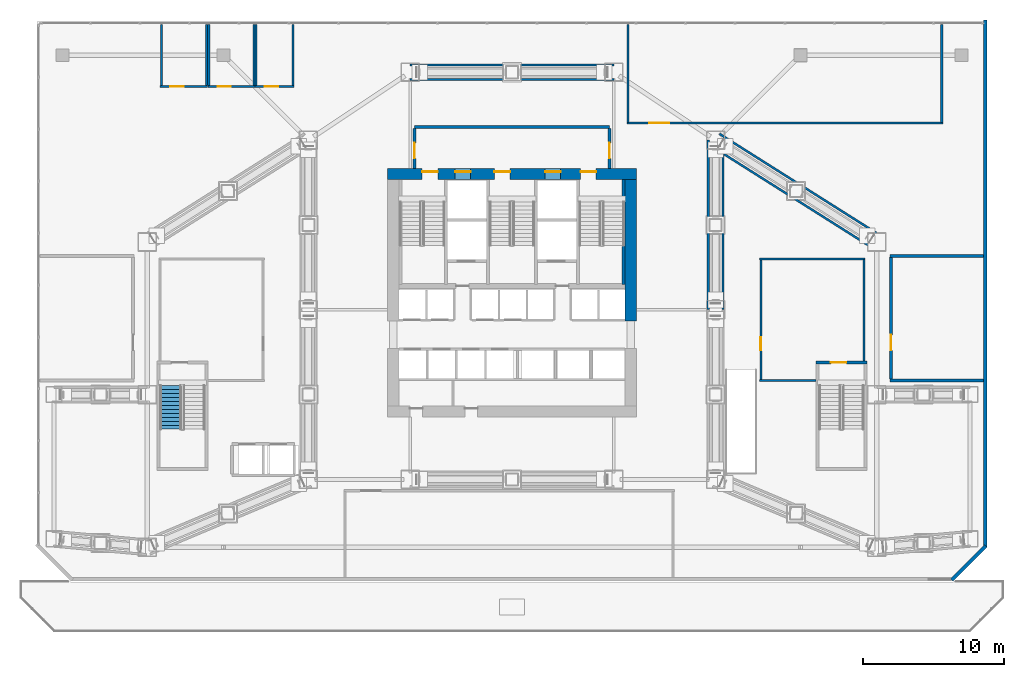
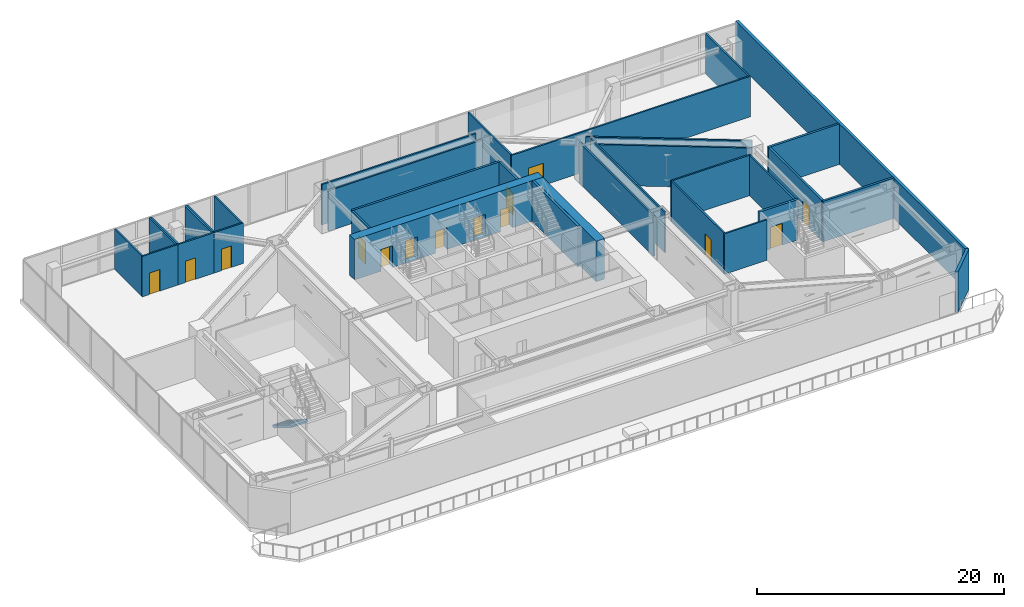
# One storey, part 34 of 39: 34 walls, 14 doors, 1 stair flight, 14 openings, 1 element without a shape of its own.
"""IFC4 building model written with IfcOpenShell, lengths in metres."""

from ifc_helpers import new_model, si_unit, direction, frame, frame_2d, origin, place, context, subcontext, project, spatial, polyline, rectangle, outline, extrude, material, layer, layer_set, type_object, element, fill, aggregate, save


model = new_model("IFC4")

# Units and contexts
model_context = context("Model", 3, precision=1e-05, world=origin(), true_north=direction((0.0, 1.0)))
body_context = subcontext(model_context, "Body", "Model", "MODEL_VIEW")
ifc_project = project(units=[si_unit("LENGTHUNIT", "METRE"), si_unit("AREAUNIT", "SQUARE_METRE"), si_unit("VOLUMEUNIT", "CUBIC_METRE"), si_unit("PLANEANGLEUNIT", "RADIAN"), si_unit("MASSUNIT", "GRAM", prefix="KILO")], contexts=[model_context])

# Site, building, storey
site_placement = place(None, origin())
site = spatial("IfcSite", under=ifc_project, at=site_placement, CompositionType="ELEMENT")
building_placement = place(site_placement, origin())
building = spatial("IfcBuilding", under=site, at=building_placement, Name="Haolan Belvedere Tower", CompositionType="ELEMENT")
storey_placement = place(building_placement, frame((0.0, 0.0, 19.800048828125)))
storey = spatial("IfcBuildingStorey", under=building, at=storey_placement, Name="L04", CompositionType="ELEMENT", Elevation=19.800048828125)

# Wall, openings, doors
ifc_material_1 = material(Name="Concrete C70/85", Category="concrete")
ifc_layer_1 = layer(ifc_material_1, 0.800048828125, Name="Concrete C70/85")
ifc_layer_set_1 = layer_set([ifc_layer_1], Name="Concrete C70/85")
wall_type_1 = type_object("IfcWallType", Name="WL-CORE-800", PredefinedType="SHEAR", material=ifc_layer_set_1)
wall_1_placement = place(storey_placement, frame((29.60009765625, 43.199951171875, 0.0), z_axis=(0.0, 0.0, 1.0), x_axis=(1.0, 0.0, 0.0)))
wall_1 = element("IfcWall", 1, at=wall_1_placement, inside=storey, type_object=wall_type_1, Name="L04 central core north shear wall", PredefinedType="SHEAR", context=body_context, shape_type="SweptSolid", body=[
    extrude(rectangle(XDim=17.599853515625, YDim=0.800048828125, at=frame_2d((8.7998046875, 0.0))), origin(), (0.0, 0.0, 1.0), 4.0),
])
opening_1_placement = place(wall_1_placement, frame((2.449951171875, 0.0, 0.0)))
opening_1 = element("IfcOpeningElement", 2, at=opening_1_placement, cuts=wall_1, Name="Opening FD-03", PredefinedType="OPENING", context=body_context, shape_type="SweptSolid", body=[
    extrude(rectangle(XDim=1.10009765625, YDim=2.14990234375, at=frame_2d((0.550048828125, 1.074951171875))), frame((0.0, 0.409912109375, 0.0), z_axis=(0.0, -1.0, 0.0), x_axis=(1.0, 0.0, 0.0)), (0.0, 0.0, 1.0), 0.820068359375),
])
opening_2_placement = place(wall_1_placement, frame((7.56005859375, 0.0, 0.0)))
opening_2 = element("IfcOpeningElement", 3, at=opening_2_placement, cuts=wall_1, Name="Opening FD-03", PredefinedType="OPENING", context=body_context, shape_type="SweptSolid", body=[
    extrude(rectangle(XDim=1.10009765625, YDim=2.14990234375, at=frame_2d((0.550048828125, 1.074951171875))), frame((0.0, 0.409912109375, 0.0), z_axis=(0.0, -1.0, 0.0), x_axis=(1.0, 0.0, 0.0)), (0.0, 0.0, 1.0), 0.820068359375),
])
opening_3_placement = place(wall_1_placement, frame((13.64990234375, 0.0, 0.0)))
opening_3 = element("IfcOpeningElement", 4, at=opening_3_placement, cuts=wall_1, Name="Opening FD-03", PredefinedType="OPENING", context=body_context, shape_type="SweptSolid", body=[
    extrude(rectangle(XDim=1.10009765625, YDim=2.14990234375, at=frame_2d((0.550048828125, 1.074951171875))), frame((0.0, 0.409912109375, 0.0), z_axis=(0.0, -1.0, 0.0), x_axis=(1.0, 0.0, 0.0)), (0.0, 0.0, 1.0), 0.820068359375),
])
opening_4_placement = place(wall_1_placement, frame((4.780029296875, 0.0, 0.0)))
opening_4 = element("IfcOpeningElement", 5, at=opening_4_placement, cuts=wall_1, Name="Opening LD-01", PredefinedType="OPENING", context=body_context, shape_type="SweptSolid", body=[
    extrude(rectangle(XDim=1.10009765625, YDim=2.199951171875, at=frame_2d((0.550048828125, 1.10009765625))), frame((0.0, 0.409912109375, 0.0), z_axis=(0.0, -1.0, 0.0), x_axis=(1.0, 0.0, 0.0)), (0.0, 0.0, 1.0), 0.820068359375),
])
opening_5_placement = place(wall_1_placement, frame((11.139892578125, 0.0, 0.0)))
opening_5 = element("IfcOpeningElement", 6, at=opening_5_placement, cuts=wall_1, Name="Opening LD-01", PredefinedType="OPENING", context=body_context, shape_type="SweptSolid", body=[
    extrude(rectangle(XDim=1.10009765625, YDim=2.199951171875, at=frame_2d((0.550048828125, 1.10009765625))), frame((0.0, 0.409912109375, 0.0), z_axis=(0.0, -1.0, 0.0), x_axis=(1.0, 0.0, 0.0)), (0.0, 0.0, 1.0), 0.820068359375),
])
ifc_material_2 = material(Name="Galvanised fire-rated steel", Category="steel")
door_type_1 = type_object("IfcDoorType", Name="DR-FD90-1100", OperationType="NOTDEFINED", PredefinedType="DOOR", material=ifc_material_2)
door_1_placement = place(opening_1_placement, origin())
door_1 = element("IfcDoor", 7, at=door_1_placement, inside=storey, type_object=door_type_1, Name="L04 door CD-L04-ST1", OperationType="SINGLE_SWING_LEFT", OverallHeight=2.14990234375, OverallWidth=1.10009765625, PredefinedType="DOOR", context=body_context, shape_type="SweptSolid", body=[
    extrude(rectangle(XDim=1.10009765625, YDim=2.14990234375, at=frame_2d((0.550048828125, 1.074951171875))), frame((0.0, 0.18505859375, 0.0), z_axis=(0.0, -1.0, 0.0), x_axis=(1.0, 0.0, 0.0)), (0.0, 0.0, 1.0), 0.050048828125),
])
fill(opening_1, door_1)
door_2_placement = place(opening_2_placement, origin())
door_2 = element("IfcDoor", 8, at=door_2_placement, inside=storey, type_object=door_type_1, Name="L04 door CD-L04-ST3", OperationType="SINGLE_SWING_LEFT", OverallHeight=2.14990234375, OverallWidth=1.10009765625, PredefinedType="DOOR", context=body_context, shape_type="SweptSolid", body=[
    extrude(rectangle(XDim=1.10009765625, YDim=2.14990234375, at=frame_2d((0.550048828125, 1.074951171875))), frame((0.0, 0.18505859375, 0.0), z_axis=(0.0, -1.0, 0.0), x_axis=(1.0, 0.0, 0.0)), (0.0, 0.0, 1.0), 0.050048828125),
])
fill(opening_2, door_2)
door_3_placement = place(opening_3_placement, origin())
door_3 = element("IfcDoor", 9, at=door_3_placement, inside=storey, type_object=door_type_1, Name="L04 door CD-L04-ST2", OperationType="SINGLE_SWING_RIGHT", OverallHeight=2.14990234375, OverallWidth=1.10009765625, PredefinedType="DOOR", context=body_context, shape_type="SweptSolid", body=[
    extrude(rectangle(XDim=1.10009765625, YDim=2.14990234375, at=frame_2d((0.550048828125, 1.074951171875))), frame((0.0, 0.18505859375, 0.0), z_axis=(0.0, -1.0, 0.0), x_axis=(1.0, 0.0, 0.0)), (0.0, 0.0, 1.0), 0.050048828125),
])
fill(opening_3, door_3)
ifc_material_3 = material(Name="Brushed champagne stainless steel 316L", Category="steel")
door_type_2 = type_object("IfcDoorType", Name="DR-LIFT-1100", OperationType="SLIDING_TO_LEFT", PredefinedType="DOOR", material=ifc_material_3)
door_4_placement = place(opening_4_placement, origin())
door_4 = element("IfcDoor", 10, at=door_4_placement, inside=storey, type_object=door_type_2, Name="L04 door LD-L04-FF1", OperationType="SLIDING_TO_LEFT", OverallHeight=2.199951171875, OverallWidth=1.10009765625, PredefinedType="DOOR", context=body_context, shape_type="SweptSolid", body=[
    extrude(rectangle(XDim=1.10009765625, YDim=2.199951171875, at=frame_2d((0.550048828125, 1.10009765625))), frame((0.0, 0.18505859375, 0.0), z_axis=(0.0, -1.0, 0.0), x_axis=(1.0, 0.0, 0.0)), (0.0, 0.0, 1.0), 0.050048828125),
])
fill(opening_4, door_4)
door_5_placement = place(opening_5_placement, origin())
door_5 = element("IfcDoor", 11, at=door_5_placement, inside=storey, type_object=door_type_2, Name="L04 door LD-L04-FF2", OperationType="SLIDING_TO_LEFT", OverallHeight=2.199951171875, OverallWidth=1.10009765625, PredefinedType="DOOR", context=body_context, shape_type="SweptSolid", body=[
    extrude(rectangle(XDim=1.10009765625, YDim=2.199951171875, at=frame_2d((0.550048828125, 1.10009765625))), frame((0.0, 0.18505859375, 0.0), z_axis=(0.0, -1.0, 0.0), x_axis=(1.0, 0.0, 0.0)), (0.0, 0.0, 1.0), 0.050048828125),
])
fill(opening_5, door_5)

# Walls
wall_2_placement = place(storey_placement, frame((46.800048828125, 32.800048828125, 0.0), z_axis=(0.0, 0.0, 1.0), x_axis=(0.0, 1.0, 0.0)))
element("IfcWall", 12, at=wall_2_placement, inside=storey, type_object=wall_type_1, Name="L04 central core shear wall EN", PredefinedType="SHEAR", context=body_context, shape_type="SweptSolid", body=[
    extrude(rectangle(XDim=10.0, YDim=0.800048828125, at=frame_2d((5.0, 0.0))), origin(), (0.0, 0.0, 1.0), 4.0),
])
ifc_material_4 = material(Name="Precast concrete C40/50", Category="concrete")
ifc_layer_2 = layer(ifc_material_4, 0.260009765625, Name="Precast concrete C40/50")
ifc_layer_set_2 = layer_set([ifc_layer_2], Name="Precast concrete C40/50")
wall_type_2 = type_object("IfcWallType", Name="WL-EXT-260", PredefinedType="SOLIDWALL", material=ifc_layer_set_2)
wall_3_placement = place(storey_placement, frame((69.50732421875, 14.4912109375, 0.0), z_axis=(0.0, 0.0, 1.0), x_axis=(0.70714272328, 0.707070837266, 0.0)))
element("IfcWall", 13, at=wall_3_placement, inside=storey, type_object=wall_type_2, Name="L04 pale-metal exterior spandrel wall 1.1", PredefinedType="SOLIDWALL", context=body_context, shape_type="SweptSolid", body=[
    extrude(rectangle(XDim=3.396240234375, YDim=0.260009765625, at=frame_2d((1.6982421875, 0.0))), origin(), (0.0, 0.0, 1.0), 4.0),
])
wall_4_placement = place(storey_placement, frame((71.8701171875, 16.798828125, 0.0), z_axis=(0.0, 0.0, 1.0), x_axis=(0.0, 1.0, 0.0)))
element("IfcWall", 14, at=wall_4_placement, inside=storey, type_object=wall_type_2, Name="L04 pale-metal exterior spandrel wall 2.1", PredefinedType="SOLIDWALL", context=body_context, shape_type="SweptSolid", body=[
    extrude(rectangle(XDim=37.296142578125, YDim=0.260009765625, at=frame_2d((18.64794921875, 0.0))), origin(), (0.0, 0.0, 1.0), 4.0),
])
ifc_material_5 = material(Name="Concrete C40/50", Category="concrete")
ifc_layer_3 = layer(ifc_material_5, 0.199951171875, Name="Concrete C40/50")
ifc_layer_set_3 = layer_set([ifc_layer_3], Name="Concrete C40/50")
wall_type_3 = type_object("IfcWallType", Name="WL-FIRE-200", PredefinedType="SOLIDWALL", material=ifc_layer_set_3)
wall_5_placement = place(storey_placement, frame((31.5, 46.52001953125, 0.0), z_axis=(0.0, 0.0, 1.0), x_axis=(1.0, 0.0, 0.0)))
element("IfcWall", 15, at=wall_5_placement, inside=storey, type_object=wall_type_3, Name="L04 interior partition IW-L04-FFL-N", PredefinedType="SOLIDWALL", context=body_context, shape_type="SweptSolid", body=[
    extrude(rectangle(XDim=13.800048828125, YDim=0.199951171875, at=frame_2d((6.89990234375, 0.0))), origin(), (0.0, 0.0, 1.0), 4.0),
])

# Wall, opening, door
wall_6_placement = place(storey_placement, frame((31.5, 43.60009765625, 0.0), z_axis=(0.0, 0.0, 1.0), x_axis=(0.0, 1.0, 0.0)))
wall_6 = element("IfcWall", 16, at=wall_6_placement, inside=storey, type_object=wall_type_3, Name="L04 interior partition IW-L04-FFL-W", PredefinedType="SOLIDWALL", context=body_context, shape_type="SweptSolid", body=[
    extrude(rectangle(XDim=2.8349609375, YDim=0.199951171875, at=frame_2d((1.41748046875, 0.0))), origin(), (0.0, 0.0, 1.0), 4.0),
])
opening_6_placement = place(wall_6_placement, frame((1.800048828125, 0.0, 0.0), z_axis=(0.0, 0.0, 1.0), x_axis=(-1.0, 0.0, 0.0)))
opening_6 = element("IfcOpeningElement", 17, at=opening_6_placement, cuts=wall_6, Name="Opening FD-03", PredefinedType="OPENING", context=body_context, shape_type="SweptSolid", body=[
    extrude(rectangle(XDim=1.10009765625, YDim=2.14990234375, at=frame_2d((0.550048828125, 1.074951171875))), frame((0.0, 0.10986328125, 0.0), z_axis=(0.0, -1.0, 0.0), x_axis=(1.0, 0.0, 0.0)), (0.0, 0.0, 1.0), 0.219970703125),
])
door_6_placement = place(opening_6_placement, origin())
door_6 = element("IfcDoor", 18, at=door_6_placement, inside=storey, type_object=door_type_1, Name="L04 door ID-L04-FFL-DW", OperationType="SINGLE_SWING_LEFT", OverallHeight=2.14990234375, OverallWidth=1.10009765625, PredefinedType="DOOR", context=body_context, shape_type="SweptSolid", body=[
    extrude(rectangle(XDim=1.10009765625, YDim=2.14990234375, at=frame_2d((0.550048828125, 1.074951171875))), frame((0.0, 0.02490234375, 0.0), z_axis=(0.0, -1.0, 0.0), x_axis=(1.0, 0.0, 0.0)), (0.0, 0.0, 1.0), 0.050048828125),
])
fill(opening_6, door_6)

wall_7_placement = place(storey_placement, frame((45.300048828125, 43.60009765625, 0.0), z_axis=(0.0, 0.0, 1.0), x_axis=(0.0, 1.0, 0.0)))
wall_7 = element("IfcWall", 19, at=wall_7_placement, inside=storey, type_object=wall_type_3, Name="L04 interior partition IW-L04-FFL-E", PredefinedType="SOLIDWALL", context=body_context, shape_type="SweptSolid", body=[
    extrude(rectangle(XDim=2.8349609375, YDim=0.199951171875, at=frame_2d((1.41748046875, 0.0))), origin(), (0.0, 0.0, 1.0), 4.0),
])
opening_7_placement = place(wall_7_placement, frame((0.699951171875, 0.0, 0.0)))
opening_7 = element("IfcOpeningElement", 20, at=opening_7_placement, cuts=wall_7, Name="Opening FD-03", PredefinedType="OPENING", context=body_context, shape_type="SweptSolid", body=[
    extrude(rectangle(XDim=1.10009765625, YDim=2.14990234375, at=frame_2d((0.550048828125, 1.074951171875))), frame((0.0, 0.10986328125, 0.0), z_axis=(0.0, -1.0, 0.0), x_axis=(1.0, 0.0, 0.0)), (0.0, 0.0, 1.0), 0.219970703125),
])
door_7_placement = place(opening_7_placement, origin())
door_7 = element("IfcDoor", 21, at=door_7_placement, inside=storey, type_object=door_type_1, Name="L04 door ID-L04-FFL-DE", OperationType="SINGLE_SWING_RIGHT", OverallHeight=2.14990234375, OverallWidth=1.10009765625, PredefinedType="DOOR", context=body_context, shape_type="SweptSolid", body=[
    extrude(rectangle(XDim=1.10009765625, YDim=2.14990234375, at=frame_2d((0.550048828125, 1.074951171875))), frame((0.0, 0.02490234375, 0.0), z_axis=(0.0, -1.0, 0.0), x_axis=(1.0, 0.0, 0.0)), (0.0, 0.0, 1.0), 0.050048828125),
])
fill(opening_7, door_7)

# Walls
for number, where, z_axis, x_axis, name in (
    (22, (65.1201171875, 37.39990234375, 0.0), (0.0, 0.0, 1.0), (1.0, 0.0, 0.0), "L04 interior partition IW-L04-TTPE-N"),
    (23, (65.1201171875, 28.60009765625, 0.0), (0.0, 0.0, 1.0), (1.0, 0.0, 0.0), "L04 interior partition IW-L04-TTPE-S"),
):
    element("IfcWall", number, at=place(storey_placement, frame(where, z_axis=z_axis, x_axis=x_axis)), inside=storey, type_object=wall_type_3, Name=name, PredefinedType="SOLIDWALL", context=body_context, shape_type="SweptSolid", body=[
        extrude(rectangle(XDim=6.634765625, YDim=0.199951171875, at=frame_2d((3.3173828125, 0.0))), origin(), (0.0, 0.0, 1.0), 4.0),
    ])

# Wall, opening, door
wall_8_placement = place(storey_placement, frame((65.199951171875, 28.68505859375, 0.0), z_axis=(0.0, 0.0, 1.0), x_axis=(0.0, 1.0, 0.0)))
wall_8 = element("IfcWall", 24, at=wall_8_placement, inside=storey, type_object=wall_type_3, Name="L04 interior partition IW-L04-TTPE-W", PredefinedType="SOLIDWALL", context=body_context, shape_type="SweptSolid", body=[
    extrude(rectangle(XDim=8.6298828125, YDim=0.199951171875, at=frame_2d((4.31494140625, 0.0))), origin(), (0.0, 0.0, 1.0), 4.0),
])
opening_8_placement = place(wall_8_placement, frame((2.034912109375, 0.0, 0.0)))
opening_8 = element("IfcOpeningElement", 25, at=opening_8_placement, cuts=wall_8, Name="Opening FD-03", PredefinedType="OPENING", context=body_context, shape_type="SweptSolid", body=[
    extrude(rectangle(XDim=1.10009765625, YDim=2.14990234375, at=frame_2d((0.550048828125, 1.074951171875))), frame((0.0, 0.10986328125, 0.0), z_axis=(0.0, -1.0, 0.0), x_axis=(1.0, 0.0, 0.0)), (0.0, 0.0, 1.0), 0.219970703125),
])
door_8_placement = place(opening_8_placement, origin())
door_8 = element("IfcDoor", 26, at=door_8_placement, inside=storey, type_object=door_type_1, Name="L04 door ID-L04-TTPE", OperationType="SINGLE_SWING_LEFT", OverallHeight=2.14990234375, OverallWidth=1.10009765625, PredefinedType="DOOR", context=body_context, shape_type="SweptSolid", body=[
    extrude(rectangle(XDim=1.10009765625, YDim=2.14990234375, at=frame_2d((0.550048828125, 1.074951171875))), frame((0.0, 0.02490234375, 0.0), z_axis=(0.0, -1.0, 0.0), x_axis=(1.0, 0.0, 0.0)), (0.0, 0.0, 1.0), 0.050048828125),
])
fill(opening_8, door_8)

# Walls
ifc_material_6 = material(Name="Double gypsum acoustic stud partition", Category="masonry")
ifc_layer_4 = layer(ifc_material_6, 0.14990234375, Name="Double gypsum acoustic stud partition")
ifc_layer_set_4 = layer_set([ifc_layer_4], Name="Double gypsum acoustic stud partition")
wall_type_4 = type_object("IfcWallType", Name="WL-PART-150", PredefinedType="PARTITIONING", material=ifc_layer_set_4)
for number, where, z_axis, x_axis, name in (
    (27, (53.320068359375, 33.60205078125, 0.0), (0.0, 0.0, 1.0), (0.0, 1.0, 0.0), "L04 interior partition IW-L04-CH-TT-T3-E2-1"),
    (28, (52.280029296875, 33.60205078125, 0.0), (0.0, 0.0, 1.0), (0.0, 1.0, 0.0), "L04 interior partition IW-L04-CH-TT-T3-E2-2"),
):
    element("IfcWall", number, at=place(storey_placement, frame(where, z_axis=z_axis, x_axis=x_axis)), inside=storey, type_object=wall_type_4, Name=name, PredefinedType="PARTITIONING", context=body_context, shape_type="SweptSolid", body=[
        extrude(rectangle(XDim=11.998046875, YDim=0.14990234375, at=frame_2d((5.9990234375, 0.0))), origin(), (0.0, 0.0, 1.0), 4.0),
    ])
for number, where, z_axis, x_axis, name in (
    (29, (31.199951171875, 49.8798828125, 0.0), (0.0, 0.0, 1.0), (1.0, 0.0, 0.0), "L04 interior partition IW-L04-CH-TT-T3-NM-1"),
    (30, (31.199951171875, 50.919921875, 0.0), (0.0, 0.0, 1.0), (1.0, 0.0, 0.0), "L04 interior partition IW-L04-CH-TT-T3-NM-2"),
):
    element("IfcWall", number, at=place(storey_placement, frame(where, z_axis=z_axis, x_axis=x_axis)), inside=storey, type_object=wall_type_4, Name=name, PredefinedType="PARTITIONING", context=body_context, shape_type="SweptSolid", body=[
        extrude(rectangle(XDim=14.400146484375, YDim=0.14990234375, at=frame_2d((7.2001953125, 0.0))), origin(), (0.0, 0.0, 1.0), 4.0),
    ])
wall_9_placement = place(storey_placement, frame((53.3798828125, 44.61865234375, 0.0), z_axis=(0.0, 0.0, 1.0), x_axis=(0.845487507253, -0.533995201364, 0.0)))
element("IfcWall", 31, at=wall_9_placement, inside=storey, type_object=wall_type_4, Name="L04 interior partition IW-L04-CH-TT-T4-N-1", PredefinedType="PARTITIONING", context=body_context, shape_type="SweptSolid", body=[
    extrude(rectangle(XDim=12.468994140625, YDim=0.14990234375, at=frame_2d((6.234375, 0.0))), origin(), (0.0, 0.0, 1.0), 4.0),
])
wall_10_placement = place(storey_placement, frame((53.07763671875, 46.039794921875, 0.0), z_axis=(0.0, 0.0, 1.0), x_axis=(0.845485460976, -0.53399844127, 0.0)))
element("IfcWall", 32, at=wall_10_placement, inside=storey, type_object=wall_type_4, Name="L04 interior partition IW-L04-CH-TT-T4-N-2", PredefinedType="PARTITIONING", context=body_context, shape_type="SweptSolid", body=[
    extrude(rectangle(XDim=13.483642578125, YDim=0.14990234375, at=frame_2d((6.74169921875, 0.0))), origin(), (0.0, 0.0, 1.0), 4.0),
])

# Wall, opening, door
wall_11_placement = place(storey_placement, frame((13.52001953125, 49.39990234375, 0.0), z_axis=(0.0, 0.0, 1.0), x_axis=(1.0, 0.0, 0.0)))
wall_11 = element("IfcWall", 33, at=wall_11_placement, inside=storey, type_object=wall_type_4, Name="L04 interior partition IW-L04-WCM-S", PredefinedType="PARTITIONING", context=body_context, shape_type="SweptSolid", body=[
    extrude(rectangle(XDim=3.35986328125, YDim=0.14990234375, at=frame_2d((1.679931640625, 0.0))), origin(), (0.0, 0.0, 1.0), 4.0),
])
opening_9_placement = place(wall_11_placement, frame((0.699951171875, 0.0, 0.0)))
opening_9 = element("IfcOpeningElement", 34, at=opening_9_placement, cuts=wall_11, Name="Opening ID-03", PredefinedType="OPENING", context=body_context, shape_type="SweptSolid", body=[
    extrude(rectangle(XDim=0.949951171875, YDim=2.1201171875, at=frame_2d((0.47509765625, 1.06005859375))), frame((0.0, 0.0849609375, 0.0), z_axis=(0.0, -1.0, 0.0), x_axis=(1.0, 0.0, 0.0)), (0.0, 0.0, 1.0), 0.169921875),
])
ifc_material_7 = material(Name="Painted solid-core timber", Category="wood")
door_type_3 = type_object("IfcDoorType", Name="DR-INT-950", OperationType="NOTDEFINED", PredefinedType="DOOR", material=ifc_material_7)
door_9_placement = place(opening_9_placement, origin())
door_9 = element("IfcDoor", 35, at=door_9_placement, inside=storey, type_object=door_type_3, Name="L04 door ID-L04-WCM", OperationType="SINGLE_SWING_LEFT", OverallHeight=2.1201171875, OverallWidth=0.949951171875, PredefinedType="DOOR", context=body_context, shape_type="SweptSolid", body=[
    extrude(rectangle(XDim=0.949951171875, YDim=2.1201171875, at=frame_2d((0.47509765625, 1.06005859375))), frame((0.0, 0.02490234375, 0.0), z_axis=(0.0, -1.0, 0.0), x_axis=(1.0, 0.0, 0.0)), (0.0, 0.0, 1.0), 0.050048828125),
])
fill(opening_9, door_9)

# Walls
for number, where, z_axis, x_axis, name in (
    (36, (13.60009765625, 49.4599609375, 0.0), (0.0, 0.0, 1.0), (0.0, 1.0, 0.0), "L04 interior partition IW-L04-WCM-W"),
    (37, (16.800048828125, 49.4599609375, 0.0), (0.0, 0.0, 1.0), (0.0, 1.0, 0.0), "L04 interior partition IW-L04-WCM-E"),
):
    element("IfcWall", number, at=place(storey_placement, frame(where, z_axis=z_axis, x_axis=x_axis)), inside=storey, type_object=wall_type_4, Name=name, PredefinedType="PARTITIONING", context=body_context, shape_type="SweptSolid", body=[
        extrude(rectangle(XDim=4.328125, YDim=0.14990234375, at=frame_2d((2.1640625, 0.0))), origin(), (0.0, 0.0, 1.0), 4.0),
    ])

# Wall, opening, door
wall_12_placement = place(storey_placement, frame((16.882080078125, 49.39990234375, 0.0), z_axis=(0.0, 0.0, 1.0), x_axis=(1.0, 0.0, 0.0)))
wall_12 = element("IfcWall", 38, at=wall_12_placement, inside=storey, type_object=wall_type_4, Name="L04 interior partition IW-L04-WCF-S", PredefinedType="PARTITIONING", context=body_context, shape_type="SweptSolid", body=[
    extrude(rectangle(XDim=3.347900390625, YDim=0.14990234375, at=frame_2d((1.673828125, 0.0))), origin(), (0.0, 0.0, 1.0), 4.0),
])
opening_10_placement = place(wall_12_placement, frame((0.68798828125, 0.0, 0.0)))
opening_10 = element("IfcOpeningElement", 39, at=opening_10_placement, cuts=wall_12, Name="Opening ID-03", PredefinedType="OPENING", context=body_context, shape_type="SweptSolid", body=[
    extrude(rectangle(XDim=0.949951171875, YDim=2.1201171875, at=frame_2d((0.47509765625, 1.06005859375))), frame((0.0, 0.0849609375, 0.0), z_axis=(0.0, -1.0, 0.0), x_axis=(1.0, 0.0, 0.0)), (0.0, 0.0, 1.0), 0.169921875),
])
door_10_placement = place(opening_10_placement, origin())
door_10 = element("IfcDoor", 40, at=door_10_placement, inside=storey, type_object=door_type_3, Name="L04 door ID-L04-WCF", OperationType="SINGLE_SWING_RIGHT", OverallHeight=2.1201171875, OverallWidth=0.949951171875, PredefinedType="DOOR", context=body_context, shape_type="SweptSolid", body=[
    extrude(rectangle(XDim=0.949951171875, YDim=2.1201171875, at=frame_2d((0.47509765625, 1.06005859375))), frame((0.0, 0.02490234375, 0.0), z_axis=(0.0, -1.0, 0.0), x_axis=(1.0, 0.0, 0.0)), (0.0, 0.0, 1.0), 0.050048828125),
])
fill(opening_10, door_10)

# Walls
for number, where, z_axis, x_axis, name in (
    (41, (16.949951171875, 49.4599609375, 0.0), (0.0, 0.0, 1.0), (0.0, 1.0, 0.0), "L04 interior partition IW-L04-WCF-W"),
    (42, (20.14990234375, 49.4599609375, 0.0), (0.0, 0.0, 1.0), (0.0, 1.0, 0.0), "L04 interior partition IW-L04-WCF-E"),
):
    element("IfcWall", number, at=place(storey_placement, frame(where, z_axis=z_axis, x_axis=x_axis)), inside=storey, type_object=wall_type_4, Name=name, PredefinedType="PARTITIONING", context=body_context, shape_type="SweptSolid", body=[
        extrude(rectangle(XDim=4.328125, YDim=0.14990234375, at=frame_2d((2.1640625, 0.0))), origin(), (0.0, 0.0, 1.0), 4.0),
    ])

# Wall, opening, door
wall_13_placement = place(storey_placement, frame((20.23193359375, 49.39990234375, 0.0), z_axis=(0.0, 0.0, 1.0), x_axis=(1.0, 0.0, 0.0)))
wall_13 = element("IfcWall", 43, at=wall_13_placement, inside=storey, type_object=wall_type_4, Name="L04 interior partition IW-L04-WCA-S", PredefinedType="PARTITIONING", context=body_context, shape_type="SweptSolid", body=[
    extrude(rectangle(XDim=2.748046875, YDim=0.14990234375, at=frame_2d((1.3740234375, 0.0))), origin(), (0.0, 0.0, 1.0), 4.0),
])
opening_11_placement = place(wall_13_placement, frame((0.68798828125, 0.0, 0.0)))
opening_11 = element("IfcOpeningElement", 44, at=opening_11_placement, cuts=wall_13, Name="Opening ID-03", PredefinedType="OPENING", context=body_context, shape_type="SweptSolid", body=[
    extrude(rectangle(XDim=0.949951171875, YDim=2.1201171875, at=frame_2d((0.47509765625, 1.06005859375))), frame((0.0, 0.0849609375, 0.0), z_axis=(0.0, -1.0, 0.0), x_axis=(1.0, 0.0, 0.0)), (0.0, 0.0, 1.0), 0.169921875),
])
door_11_placement = place(opening_11_placement, origin())
door_11 = element("IfcDoor", 45, at=door_11_placement, inside=storey, type_object=door_type_3, Name="L04 door ID-L04-WCA", OperationType="SINGLE_SWING_LEFT", OverallHeight=2.1201171875, OverallWidth=0.949951171875, PredefinedType="DOOR", context=body_context, shape_type="SweptSolid", body=[
    extrude(rectangle(XDim=0.949951171875, YDim=2.1201171875, at=frame_2d((0.47509765625, 1.06005859375))), frame((0.0, 0.02490234375, 0.0), z_axis=(0.0, -1.0, 0.0), x_axis=(1.0, 0.0, 0.0)), (0.0, 0.0, 1.0), 0.050048828125),
])
fill(opening_11, door_11)

# Walls
for number, where, z_axis, x_axis, name in (
    (46, (20.300048828125, 49.4599609375, 0.0), (0.0, 0.0, 1.0), (0.0, 1.0, 0.0), "L04 interior partition IW-L04-WCA-W"),
    (47, (22.89990234375, 49.4599609375, 0.0), (0.0, 0.0, 1.0), (0.0, 1.0, 0.0), "L04 interior partition IW-L04-WCA-E"),
):
    element("IfcWall", number, at=place(storey_placement, frame(where, z_axis=z_axis, x_axis=x_axis)), inside=storey, type_object=wall_type_4, Name=name, PredefinedType="PARTITIONING", context=body_context, shape_type="SweptSolid", body=[
        extrude(rectangle(XDim=4.328125, YDim=0.14990234375, at=frame_2d((2.1640625, 0.0))), origin(), (0.0, 0.0, 1.0), 4.0),
    ])

# Wall, opening, door
wall_14_placement = place(storey_placement, frame((46.52001953125, 46.800048828125, 0.0), z_axis=(0.0, 0.0, 1.0), x_axis=(1.0, 0.0, 0.0)))
wall_14 = element("IfcWall", 48, at=wall_14_placement, inside=storey, type_object=wall_type_4, Name="L04 interior partition IW-L04-POOL-S", PredefinedType="PARTITIONING", context=body_context, shape_type="SweptSolid", body=[
    extrude(rectangle(XDim=22.35986328125, YDim=0.14990234375, at=frame_2d((11.179931640625, 0.0))), origin(), (0.0, 0.0, 1.0), 4.0),
])
opening_12_placement = place(wall_14_placement, frame((1.60009765625, 0.0, 0.0)))
opening_12 = element("IfcOpeningElement", 49, at=opening_12_placement, cuts=wall_14, Name="Opening ID-07", PredefinedType="OPENING", context=body_context, shape_type="SweptSolid", body=[
    extrude(rectangle(XDim=1.39990234375, YDim=2.179931640625, at=frame_2d((0.699951171875, 1.08984375))), frame((0.0, 0.0849609375, 0.0), z_axis=(0.0, -1.0, 0.0), x_axis=(1.0, 0.0, 0.0)), (0.0, 0.0, 1.0), 0.169921875),
])
ifc_material_8 = material(Name="Anodised champagne aluminium and acoustic glass", Category="aluminium")
door_type_4 = type_object("IfcDoorType", Name="DR-DBL-1400", OperationType="DOUBLE_DOOR_SINGLE_SWING", PredefinedType="DOOR", material=ifc_material_8)
door_12_placement = place(opening_12_placement, origin())
door_12 = element("IfcDoor", 50, at=door_12_placement, inside=storey, type_object=door_type_4, Name="L04 door ID-L04-POOL", OperationType="DOUBLE_DOOR_SINGLE_SWING", OverallHeight=2.179931640625, OverallWidth=1.39990234375, PredefinedType="DOOR", context=body_context, shape_type="SweptSolid", body=[
    extrude(rectangle(XDim=1.39990234375, YDim=2.179931640625, at=frame_2d((0.699951171875, 1.08984375))), frame((0.0, 0.02490234375, 0.0), z_axis=(0.0, -1.0, 0.0), x_axis=(1.0, 0.0, 0.0)), (0.0, 0.0, 1.0), 0.050048828125),
])
fill(opening_12, door_12)

# Walls
for number, where, z_axis, x_axis, name in (
    (51, (46.60009765625, 46.860107421875, 0.0), (0.0, 0.0, 1.0), (0.0, 1.0, 0.0), "L04 interior partition IW-L04-POOL-W"),
    (52, (68.800048828125, 46.860107421875, 0.0), (0.0, 0.0, 1.0), (0.0, 1.0, 0.0), "L04 interior partition IW-L04-POOL-E"),
):
    element("IfcWall", number, at=place(storey_placement, frame(where, z_axis=z_axis, x_axis=x_axis)), inside=storey, type_object=wall_type_4, Name=name, PredefinedType="PARTITIONING", context=body_context, shape_type="SweptSolid", body=[
        extrude(rectangle(XDim=6.927978515625, YDim=0.14990234375, at=frame_2d((3.4638671875, 0.0))), origin(), (0.0, 0.0, 1.0), 4.0),
    ])
wall_15_placement = place(storey_placement, frame((55.919921875, 37.199951171875, 0.0), z_axis=(0.0, 0.0, 1.0), x_axis=(1.0, 0.0, 0.0)))
element("IfcWall", 53, at=wall_15_placement, inside=storey, type_object=wall_type_4, Name="L04 interior partition IW-L04-TRT1-N", PredefinedType="PARTITIONING", context=body_context, shape_type="SweptSolid", body=[
    extrude(rectangle(XDim=7.4599609375, YDim=0.14990234375, at=frame_2d((3.72998046875, 0.0))), origin(), (0.0, 0.0, 1.0), 4.0),
])
wall_16_placement = place(storey_placement, frame((55.919921875, 28.60009765625, 0.0), z_axis=(0.0, 0.0, 1.0), x_axis=(1.0, 0.0, 0.0)))
element("IfcWall", 54, at=wall_16_placement, inside=storey, type_object=wall_type_4, Name="L04 interior partition IW-L04-TRT1-S", PredefinedType="PARTITIONING", context=body_context, shape_type="SweptSolid", body=[
    extrude(rectangle(XDim=3.9951171875, YDim=0.14990234375, at=frame_2d((1.99755859375, 0.0))), origin(), (0.0, 0.0, 1.0), 4.0),
])

# Wall, opening, door
wall_17_placement = place(storey_placement, frame((56.0, 28.659912109375, 0.0), z_axis=(0.0, 0.0, 1.0), x_axis=(0.0, 1.0, 0.0)))
wall_17 = element("IfcWall", 55, at=wall_17_placement, inside=storey, type_object=wall_type_4, Name="L04 interior partition IW-L04-TRT1-W", PredefinedType="PARTITIONING", context=body_context, shape_type="SweptSolid", body=[
    extrude(rectangle(XDim=8.47998046875, YDim=0.14990234375, at=frame_2d((4.239990234375, 0.0))), origin(), (0.0, 0.0, 1.0), 4.0),
])
opening_13_placement = place(wall_17_placement, frame((2.06005859375, 0.0, 0.0)))
opening_13 = element("IfcOpeningElement", 56, at=opening_13_placement, cuts=wall_17, Name="Opening ID-03", PredefinedType="OPENING", context=body_context, shape_type="SweptSolid", body=[
    extrude(rectangle(XDim=0.949951171875, YDim=2.1201171875, at=frame_2d((0.47509765625, 1.06005859375))), frame((0.0, 0.0849609375, 0.0), z_axis=(0.0, -1.0, 0.0), x_axis=(1.0, 0.0, 0.0)), (0.0, 0.0, 1.0), 0.169921875),
])
door_13_placement = place(opening_13_placement, origin())
door_13 = element("IfcDoor", 57, at=door_13_placement, inside=storey, type_object=door_type_3, Name="L04 door ID-L04-TRT1", OperationType="SINGLE_SWING_RIGHT", OverallHeight=2.1201171875, OverallWidth=0.949951171875, PredefinedType="DOOR", context=body_context, shape_type="SweptSolid", body=[
    extrude(rectangle(XDim=0.949951171875, YDim=2.1201171875, at=frame_2d((0.47509765625, 1.06005859375))), frame((0.0, 0.02490234375, 0.0), z_axis=(0.0, -1.0, 0.0), x_axis=(1.0, 0.0, 0.0)), (0.0, 0.0, 1.0), 0.050048828125),
])
fill(opening_13, door_13)

# Walls
wall_18_placement = place(storey_placement, frame((63.300048828125, 29.955078125, 0.0), z_axis=(0.0, 0.0, 1.0), x_axis=(0.0, 1.0, 0.0)))
element("IfcWall", 58, at=wall_18_placement, inside=storey, type_object=wall_type_4, Name="L04 interior partition IW-L04-TRT1-E", PredefinedType="PARTITIONING", context=body_context, shape_type="SweptSolid", body=[
    extrude(rectangle(XDim=7.184814453125, YDim=0.14990234375, at=frame_2d((3.59228515625, 0.0))), origin(), (0.0, 0.0, 1.0), 4.0),
])
ifc_material_9 = material(Name="Concrete C50/60", Category="concrete")
ifc_layer_5 = layer(ifc_material_9, 0.219970703125, Name="Concrete C50/60")
ifc_layer_set_5 = layer_set([ifc_layer_5], Name="Concrete C50/60")
wall_type_5 = type_object("IfcWallType", Name="WL-STAIR-220", PredefinedType="SHEAR", material=ifc_layer_set_5)
wall_19_placement = place(storey_placement, frame((46.2880859375, 35.389892578125, 0.0), z_axis=(0.0, 0.0, 1.0), x_axis=(0.0, 1.0, 0.0)))
element("IfcWall", 59, at=wall_19_placement, inside=storey, type_object=wall_type_5, Name="L04 structural stair core wall ST2E", PredefinedType="SHEAR", context=body_context, shape_type="SweptSolid", body=[
    extrude(rectangle(XDim=7.41015625, YDim=0.219970703125, at=frame_2d((3.705078125, 0.0))), origin(), (0.0, 0.0, 1.0), 4.0),
])

# Wall, opening, door
wall_20_placement = place(storey_placement, frame((59.89990234375, 29.860107421875, 0.0), z_axis=(0.0, 0.0, 1.0), x_axis=(1.0, 0.0, 0.0)))
wall_20 = element("IfcWall", 60, at=wall_20_placement, inside=storey, type_object=wall_type_5, Name="L04 podium stair ST5 structural shaft wall N", PredefinedType="SHEAR", context=body_context, shape_type="SweptSolid", body=[
    extrude(rectangle(XDim=3.6201171875, YDim=0.219970703125, at=frame_2d((1.81005859375, 0.0))), origin(), (0.0, 0.0, 1.0), 4.0),
])
opening_14_placement = place(wall_20_placement, frame((1.050048828125, 0.0, 0.0)))
opening_14 = element("IfcOpeningElement", 61, at=opening_14_placement, cuts=wall_20, Name="Opening FD-03", PredefinedType="OPENING", context=body_context, shape_type="SweptSolid", body=[
    extrude(rectangle(XDim=1.10009765625, YDim=2.14990234375, at=frame_2d((0.550048828125, 1.074951171875))), frame((0.0, 0.119873046875, 0.0), z_axis=(0.0, -1.0, 0.0), x_axis=(1.0, 0.0, 0.0)), (0.0, 0.0, 1.0), 0.239990234375),
])
door_14_placement = place(opening_14_placement, origin())
door_14 = element("IfcDoor", 62, at=door_14_placement, inside=storey, type_object=door_type_1, Name="L04 door ID-L04-D-ST5", OperationType="SINGLE_SWING_RIGHT", OverallHeight=2.14990234375, OverallWidth=1.10009765625, PredefinedType="DOOR", context=body_context, shape_type="SweptSolid", body=[
    extrude(rectangle(XDim=1.10009765625, YDim=2.14990234375, at=frame_2d((0.550048828125, 1.074951171875))), frame((0.0, 0.02490234375, 0.0), z_axis=(0.0, -1.0, 0.0), x_axis=(1.0, 0.0, 0.0)), (0.0, 0.0, 1.0), 0.050048828125),
])
fill(opening_14, door_14)

# Stair, stair flight
stair_type = type_object("IfcStairType", Name="STR-DL-24R-175", PredefinedType="HALF_TURN_STAIR", material=ifc_material_5)
stair_placement = place(storey_placement, origin())
stair = element("IfcStair", 63, at=stair_placement, inside=storey, type_object=stair_type, Name="L04 West Podium Protected Exit Stair ST4", PredefinedType="HALF_TURN_STAIR")
stair_flight_type = type_object("IfcStairFlightType", Name="SFL-DL-12R-175", PredefinedType="STRAIGHT", material=ifc_material_5)
stair_flight_placement = place(storey_placement, frame((14.260009765625, 28.22998046875, 0.0), z_axis=(0.0, 0.0, 1.0), x_axis=(0.0, -1.0, 0.0)))
stair_flight = element("IfcStairFlight", 64, at=stair_flight_placement, type_object=stair_flight_type, Name="ST4 flight 1", NumberOfRisers=12, NumberOfTreads=11, PredefinedType="STRAIGHT", RiserHeight=0.175, TreadLength=0.28, context=body_context, shape_type="SweptSolid", body=[
    extrude(outline(polyline([(0.0, 0.0), (0.0, 0.175048828125), (0.280029296875, 0.175048828125), (0.280029296875, 0.35009765625), (0.56005859375, 0.35009765625), (0.56005859375, 0.52490234375), (0.840087890625, 0.52490234375), (0.840087890625, 0.699951171875), (1.1201171875, 0.699951171875), (1.1201171875, 0.875), (1.39990234375, 0.875), (1.39990234375, 1.050048828125), (1.679931640625, 1.050048828125), (1.679931640625, 1.22509765625), (1.9599609375, 1.22509765625), (1.9599609375, 1.39990234375), (2.239990234375, 1.39990234375), (2.239990234375, 1.574951171875), (2.52001953125, 1.574951171875), (2.52001953125, 1.75), (2.800048828125, 1.75), (2.800048828125, 1.925048828125), (3.080078125, 1.925048828125), (3.080078125, 2.10009765625), (3.080078125, 1.748291015625), (0.28271484375, 0.0), (0.0, 0.0)])), frame((0.0, 0.760009765625, 0.0), z_axis=(0.0, -1.0, 0.0), x_axis=(1.0, 0.0, 0.0)), (0.0, 0.0, 1.0), 1.52001953125),
])
aggregate(stair, [stair_flight])

save(model, "model.ifc")
